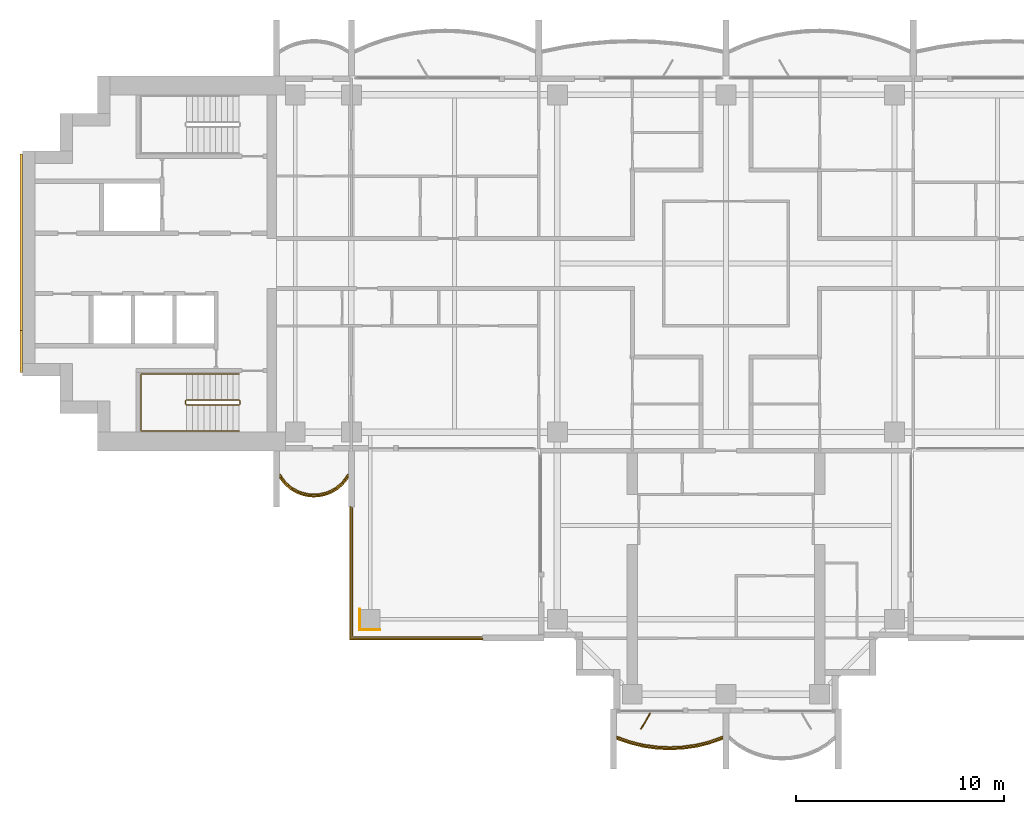
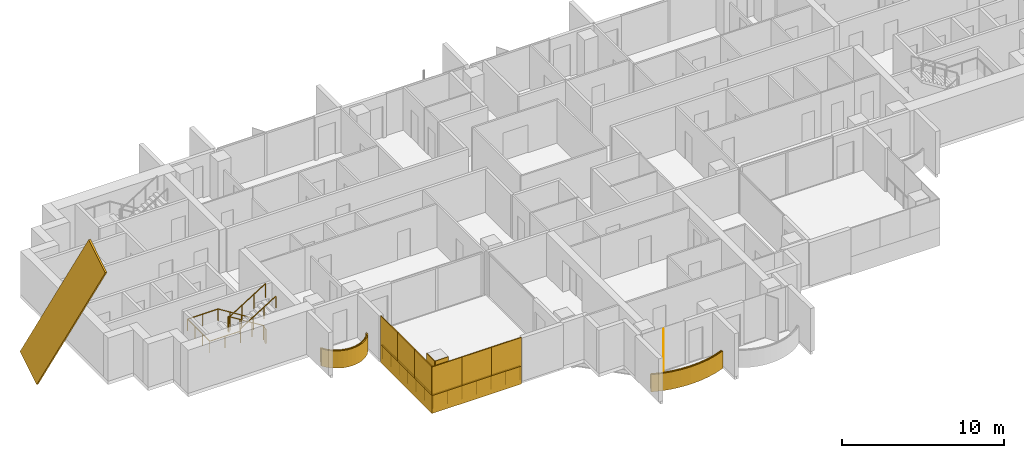
# One storey, part 14 of 17: 12 coverings, 5 railings, 1 shading device.
"""IFC4 building model written with IfcOpenShell, lengths in metres."""

from ifc_helpers import new_model, si_unit, direction, frame, origin, origin_2d, place, context, subcontext, project, spatial, polyline, rectangle, outline, extrude, material, layer, layer_set, material_profile, profile_set, type_object, element, save


model = new_model("IFC4")

# Units and contexts
model_context = context("Model", 3, precision=1e-05, world=origin(), true_north=direction((0.0, 1.0)))
body_context = subcontext(model_context, "Body", "Model", "MODEL_VIEW")
ifc_project = project(units=[si_unit("LENGTHUNIT", "METRE"), si_unit("AREAUNIT", "SQUARE_METRE"), si_unit("VOLUMEUNIT", "CUBIC_METRE"), si_unit("PLANEANGLEUNIT", "RADIAN"), si_unit("MASSUNIT", "GRAM", prefix="KILO")], contexts=[model_context])

# Site, building, storey
site_placement = place(None, origin())
site = spatial("IfcSite", under=ifc_project, at=site_placement, CompositionType="ELEMENT")
building_placement = place(site_placement, origin())
building = spatial("IfcBuilding", under=site, at=building_placement, Name="Perihelion Cross Residences", CompositionType="ELEMENT")
storey_placement = place(building_placement, frame((0.0, 0.0, 180.60009765625)))
storey = spatial("IfcBuildingStorey", under=building, at=storey_placement, Name="L44", CompositionType="ELEMENT", Elevation=180.60009765625)

# Coverings
ifc_material_1 = material(Name="Bronze anodised aluminium", Category="aluminium")
ifc_layer_1 = layer(ifc_material_1, 0.070068359375)
ifc_layer_set_1 = layer_set([ifc_layer_1], Name="Balcony fascia 1300")
covering_type_1 = type_object("IfcCoveringType", Name="Balcony fascia 1300", PredefinedType="CLADDING", material=ifc_layer_set_1)
covering_1_placement = place(storey_placement, frame((0.0, 0.0, -0.2001953125)))
element("IfcCovering", 1, at=covering_1_placement, inside=storey, type_object=covering_type_1, Name="Fascia BF1 L44 west side south bay 1", PredefinedType="CLADDING", context=body_context, shape_type="SweptSolid", body=[
    extrude(outline(polyline([(-21.226318359375, -10.616455078125), (-20.94091796875, -10.86328125), (-20.655517578125, -11.031494140625), (-20.370361328125, -11.142578125), (-20.085205078125, -11.206298828125), (-19.800048828125, -11.22705078125), (-19.514892578125, -11.206298828125), (-19.229736328125, -11.142578125), (-18.9443359375, -11.031494140625), (-18.6591796875, -10.86328125), (-18.373779296875, -10.616455078125), (-18.14990234375, -10.31689453125), (-18.14990234375, -10.199951171875), (-18.425048828125, -10.568603515625), (-18.699951171875, -10.806396484375), (-18.97509765625, -10.96875), (-19.25, -11.07568359375), (-19.52490234375, -11.136962890625), (-19.800048828125, -11.156982421875), (-20.074951171875, -11.136962890625), (-20.35009765625, -11.07568359375), (-20.625, -10.96875), (-20.89990234375, -10.806396484375), (-21.175048828125, -10.568603515625), (-21.449951171875, -10.199951171875), (-21.449951171875, -10.31689453125), (-21.226318359375, -10.616455078125)])), origin(), (0.0, 0.0, 1.0), 1.300048828125),
])
covering_2_placement = place(storey_placement, frame((0.0, 0.0, -0.2001953125)))
element("IfcCovering", 2, at=covering_2_placement, inside=storey, type_object=covering_type_1, Name="Fascia BF1 L44 south tip south bay 1", PredefinedType="CLADDING", context=body_context, shape_type="SweptSolid", body=[
    extrude(outline(polyline([(-4.63232421875, -23.090576171875), (-3.98828125, -23.247314453125), (-3.34423828125, -23.339599609375), (-2.699951171875, -23.3701171875), (-2.055908203125, -23.339599609375), (-1.411865234375, -23.247314453125), (-0.767578125, -23.090576171875), (-0.14990234375, -22.874267578125), (-0.14990234375, -22.800048828125), (-0.78759765625, -23.0234375), (-1.425048828125, -23.178466796875), (-2.0625, -23.269775390625), (-2.699951171875, -23.300048828125), (-3.33740234375, -23.269775390625), (-3.97509765625, -23.178466796875), (-4.612548828125, -23.0234375), (-5.25, -22.800048828125), (-5.25, -22.874267578125), (-4.63232421875, -23.090576171875)])), origin(), (0.0, 0.0, 1.0), 1.300048828125),
])

# Railings
ifc_material_2 = material(Name="Bronze anodised aluminium", Category="aluminium")
railing_type_1 = type_object("IfcRailingType", Name="Balcony guard 1100", PredefinedType="GUARDRAIL", material=ifc_material_2)
railing_1_placement = place(storey_placement, frame((-21.425048828125, -10.139892578125, 0.0)))
element("IfcRailing", 3, at=railing_1_placement, inside=storey, type_object=railing_type_1, Name="Guard GU1 L44 west side south bay 1 balcony", PredefinedType="GUARDRAIL", context=body_context, shape_type="SweptSolid", body=[
    extrude(rectangle(XDim=0.048095703125, YDim=0.048095703125, at=origin_2d()), frame((0.0, 0.0, 1.076171875), z_axis=(0.561260132269, -0.827639452857, 0.0), x_axis=(0.827639452857, 0.561260132269, 0.0)), (0.0, 0.0, 1.0), 0.4453125),
    extrude(rectangle(XDim=0.048095703125, YDim=0.048095703125, at=origin_2d()), frame((0.25, -0.36865234375, 1.076171875), z_axis=(0.756596535164, -0.653882009982, 0.0), x_axis=(0.653882009982, 0.756596535164, 0.0)), (0.0, 0.0, 1.0), 0.36376953125),
    extrude(rectangle(XDim=0.048095703125, YDim=0.048095703125, at=origin_2d()), frame((0.525146484375, -0.6064453125, 1.076171875), z_axis=(0.861048292884, -0.508523192511, 0.0), x_axis=(0.508523192511, 0.861048292884, 0.0)), (0.0, 0.0, 1.0), 0.3193359375),
    extrude(rectangle(XDim=0.048095703125, YDim=0.048095703125, at=origin_2d()), frame((0.800048828125, -0.768798828125, 1.076171875), z_axis=(0.931973602183, -0.362526143656, 0.0), x_axis=(0.362526143656, 0.931973602183, 0.0)), (0.0, 0.0, 1.0), 0.294921875),
    extrude(rectangle(XDim=0.048095703125, YDim=0.048095703125, at=origin_2d()), frame((1.074951171875, -0.875732421875, 1.076171875), z_axis=(0.976085059389, -0.21738895289, 0.0), x_axis=(0.21738895289, 0.976085059389, 0.0)), (0.0, 0.0, 1.0), 0.281982421875),
    extrude(rectangle(XDim=0.048095703125, YDim=0.048095703125, at=origin_2d()), frame((1.35009765625, -0.93701171875, 1.076171875), z_axis=(0.997358821833, -0.072631814734, 0.0), x_axis=(0.072631814734, 0.997358821833, 0.0)), (0.0, 0.0, 1.0), 0.275634765625),
    extrude(rectangle(XDim=0.048095703125, YDim=0.048095703125, at=origin_2d()), frame((1.625, -0.95703125, 1.076171875), z_axis=(0.997363488337, 0.072567707226, 0.0), x_axis=(-0.072567707226, 0.997363488337, 0.0)), (0.0, 0.0, 1.0), 0.27587890625),
    extrude(rectangle(XDim=0.048095703125, YDim=0.048095703125, at=origin_2d()), frame((1.900146484375, -0.93701171875, 1.076171875), z_axis=(0.976044077717, 0.217572880557, 0.0), x_axis=(-0.217572880557, 0.976044077717, 0.0)), (0.0, 0.0, 1.0), 0.28173828125),
    extrude(rectangle(XDim=0.048095703125, YDim=0.048095703125, at=origin_2d()), frame((2.175048828125, -0.875732421875, 1.076171875), z_axis=(0.931973602183, 0.362526143656, 0.0), x_axis=(-0.362526143656, 0.931973602183, 0.0)), (0.0, 0.0, 1.0), 0.294921875),
    extrude(rectangle(XDim=0.048095703125, YDim=0.048095703125, at=origin_2d()), frame((2.449951171875, -0.768798828125, 1.076171875), z_axis=(0.861245845072, 0.508188542123, 0.0), x_axis=(-0.508188542123, 0.861245845072, 0.0)), (0.0, 0.0, 1.0), 0.319580078125),
    extrude(rectangle(XDim=0.048095703125, YDim=0.048095703125, at=origin_2d()), frame((2.72509765625, -0.6064453125, 1.076171875), z_axis=(0.756309278473, 0.654214242658, 0.0), x_axis=(-0.654214242658, 0.756309278473, 0.0)), (0.0, 0.0, 1.0), 0.363525390625),
    extrude(rectangle(XDim=0.048095703125, YDim=0.048095703125, at=origin_2d()), frame((3.0, -0.36865234375, 1.076171875), z_axis=(0.561260132269, 0.827639452857, 0.0), x_axis=(-0.827639452857, 0.561260132269, 0.0)), (0.0, 0.0, 1.0), 0.4453125),
    extrude(rectangle(XDim=0.0419921875, YDim=0.0419921875, at=origin_2d()), origin(), (0.0, 0.0, 1.0), 1.052001953125),
    extrude(rectangle(XDim=0.0419921875, YDim=0.0419921875, at=origin_2d()), frame((0.25, -0.36865234375, 0.0)), (0.0, 0.0, 1.0), 1.052001953125),
    extrude(rectangle(XDim=0.0419921875, YDim=0.0419921875, at=origin_2d()), frame((0.525146484375, -0.6064453125, 0.0)), (0.0, 0.0, 1.0), 1.052001953125),
    extrude(rectangle(XDim=0.0419921875, YDim=0.0419921875, at=origin_2d()), frame((0.800048828125, -0.768798828125, 0.0)), (0.0, 0.0, 1.0), 1.052001953125),
    extrude(rectangle(XDim=0.0419921875, YDim=0.0419921875, at=origin_2d()), frame((1.074951171875, -0.875732421875, 0.0)), (0.0, 0.0, 1.0), 1.052001953125),
    extrude(rectangle(XDim=0.0419921875, YDim=0.0419921875, at=origin_2d()), frame((1.35009765625, -0.93701171875, 0.0)), (0.0, 0.0, 1.0), 1.052001953125),
    extrude(rectangle(XDim=0.0419921875, YDim=0.0419921875, at=origin_2d()), frame((1.625, -0.95703125, 0.0)), (0.0, 0.0, 1.0), 1.052001953125),
    extrude(rectangle(XDim=0.0419921875, YDim=0.0419921875, at=origin_2d()), frame((1.900146484375, -0.93701171875, 0.0)), (0.0, 0.0, 1.0), 1.052001953125),
    extrude(rectangle(XDim=0.0419921875, YDim=0.0419921875, at=origin_2d()), frame((2.175048828125, -0.875732421875, 0.0)), (0.0, 0.0, 1.0), 1.052001953125),
    extrude(rectangle(XDim=0.0419921875, YDim=0.0419921875, at=origin_2d()), frame((2.449951171875, -0.768798828125, 0.0)), (0.0, 0.0, 1.0), 1.052001953125),
    extrude(rectangle(XDim=0.0419921875, YDim=0.0419921875, at=origin_2d()), frame((2.72509765625, -0.6064453125, 0.0)), (0.0, 0.0, 1.0), 1.052001953125),
    extrude(rectangle(XDim=0.0419921875, YDim=0.0419921875, at=origin_2d()), frame((3.0, -0.36865234375, 0.0)), (0.0, 0.0, 1.0), 1.052001953125),
    extrude(rectangle(XDim=0.0419921875, YDim=0.0419921875, at=origin_2d()), frame((3.25, 0.0, 0.0)), (0.0, 0.0, 1.0), 1.052001953125),
])
railing_2_placement = place(storey_placement, frame((-5.22509765625, -22.739990234375, 0.0)))
element("IfcRailing", 4, at=railing_2_placement, inside=storey, type_object=railing_type_1, Name="Guard GU1 L44 south tip south bay 1 balcony", PredefinedType="GUARDRAIL", context=body_context, shape_type="SweptSolid", body=[
    extrude(rectangle(XDim=0.048095703125, YDim=0.048095703125, at=origin_2d()), frame((0.0, 0.0, 1.076171875), z_axis=(0.939355405384, -0.342945217749, 0.0), x_axis=(0.342945217749, 0.939355405384, 0.0)), (0.0, 0.0, 1.0), 0.652099609375),
    extrude(rectangle(XDim=0.048095703125, YDim=0.048095703125, at=origin_2d()), frame((0.612548828125, -0.2236328125, 1.076171875), z_axis=(0.971676841941, -0.236313594268, 0.0), x_axis=(0.236313594268, 0.971676841941, 0.0)), (0.0, 0.0, 1.0), 0.656005859375),
    extrude(rectangle(XDim=0.048095703125, YDim=0.048095703125, at=origin_2d()), frame((1.25, -0.378662109375, 1.076171875), z_axis=(0.989903964498, -0.141739694763, 0.0), x_axis=(0.141739694763, 0.989903964498, 0.0)), (0.0, 0.0, 1.0), 0.644287109375),
    extrude(rectangle(XDim=0.048095703125, YDim=0.048095703125, at=origin_2d()), frame((1.8876953125, -0.469970703125, 1.076171875), z_axis=(0.998892243319, -0.04705620296, 0.0), x_axis=(0.04705620296, 0.998892243319, 0.0)), (0.0, 0.0, 1.0), 0.63818359375),
    extrude(rectangle(XDim=0.048095703125, YDim=0.048095703125, at=origin_2d()), frame((2.525146484375, -0.5, 1.076171875), z_axis=(0.998892243319, 0.04705620296, 0.0), x_axis=(-0.04705620296, 0.998892243319, 0.0)), (0.0, 0.0, 1.0), 0.63818359375),
    extrude(rectangle(XDim=0.048095703125, YDim=0.048095703125, at=origin_2d()), frame((3.16259765625, -0.469970703125, 1.076171875), z_axis=(0.989896346386, 0.141792889142, 0.0), x_axis=(-0.141792889142, 0.989896346386, 0.0)), (0.0, 0.0, 1.0), 0.64404296875),
    extrude(rectangle(XDim=0.048095703125, YDim=0.048095703125, at=origin_2d()), frame((3.800048828125, -0.378662109375, 1.076171875), z_axis=(0.971676841941, 0.236313594268, 0.0), x_axis=(-0.236313594268, 0.971676841941, 0.0)), (0.0, 0.0, 1.0), 0.656005859375),
    extrude(rectangle(XDim=0.048095703125, YDim=0.048095703125, at=origin_2d()), frame((4.4375, -0.2236328125, 1.076171875), z_axis=(0.939355405384, 0.342945217749, 0.0), x_axis=(-0.342945217749, 0.939355405384, 0.0)), (0.0, 0.0, 1.0), 0.652099609375),
    extrude(rectangle(XDim=0.0419921875, YDim=0.0419921875, at=origin_2d()), origin(), (0.0, 0.0, 1.0), 1.052001953125),
    extrude(rectangle(XDim=0.0419921875, YDim=0.0419921875, at=origin_2d()), frame((0.612548828125, -0.2236328125, 0.0)), (0.0, 0.0, 1.0), 1.052001953125),
    extrude(rectangle(XDim=0.0419921875, YDim=0.0419921875, at=origin_2d()), frame((1.25, -0.378662109375, 0.0)), (0.0, 0.0, 1.0), 1.052001953125),
    extrude(rectangle(XDim=0.0419921875, YDim=0.0419921875, at=origin_2d()), frame((1.8876953125, -0.469970703125, 0.0)), (0.0, 0.0, 1.0), 1.052001953125),
    extrude(rectangle(XDim=0.0419921875, YDim=0.0419921875, at=origin_2d()), frame((2.525146484375, -0.5, 0.0)), (0.0, 0.0, 1.0), 1.052001953125),
    extrude(rectangle(XDim=0.0419921875, YDim=0.0419921875, at=origin_2d()), frame((3.16259765625, -0.469970703125, 0.0)), (0.0, 0.0, 1.0), 1.052001953125),
    extrude(rectangle(XDim=0.0419921875, YDim=0.0419921875, at=origin_2d()), frame((3.800048828125, -0.378662109375, 0.0)), (0.0, 0.0, 1.0), 1.052001953125),
    extrude(rectangle(XDim=0.0419921875, YDim=0.0419921875, at=origin_2d()), frame((4.4375, -0.2236328125, 0.0)), (0.0, 0.0, 1.0), 1.052001953125),
    extrude(rectangle(XDim=0.0419921875, YDim=0.0419921875, at=origin_2d()), frame((5.050048828125, 0.0, 0.0)), (0.0, 0.0, 1.0), 1.052001953125),
])
railing_3_placement = place(storey_placement, frame((-11.739990234375, -17.93994140625, 0.0)))
element("IfcRailing", 5, at=railing_3_placement, inside=storey, type_object=railing_type_1, Name="Guard GU1 L44 pocket south-west 1", PredefinedType="GUARDRAIL", context=body_context, shape_type="SweptSolid", body=[
    extrude(rectangle(XDim=0.048095703125, YDim=0.048095703125, at=origin_2d()), frame((0.0, 0.0, 1.076171875), z_axis=(-1.0, 0.0, 0.0), x_axis=(0.0, -1.0, 0.0)), (0.0, 0.0, 1.0), 6.199951171875),
    extrude(rectangle(XDim=0.048095703125, YDim=0.048095703125, at=origin_2d()), frame((-6.199951171875, 0.0, 1.076171875), z_axis=(0.0, 1.0, 0.0), x_axis=(-1.0, 0.0, 0.0)), (0.0, 0.0, 1.0), 6.199951171875),
    extrude(rectangle(XDim=0.0419921875, YDim=0.0419921875, at=origin_2d()), origin(), (0.0, 0.0, 1.0), 1.052001953125),
    extrude(rectangle(XDim=0.0419921875, YDim=0.0419921875, at=origin_2d()), frame((-1.033203125, 0.0, 0.0)), (0.0, 0.0, 1.0), 1.052001953125),
    extrude(rectangle(XDim=0.0419921875, YDim=0.0419921875, at=origin_2d()), frame((-2.066650390625, 0.0, 0.0)), (0.0, 0.0, 1.0), 1.052001953125),
    extrude(rectangle(XDim=0.0419921875, YDim=0.0419921875, at=origin_2d()), frame((-3.10009765625, 0.0, 0.0)), (0.0, 0.0, 1.0), 1.052001953125),
    extrude(rectangle(XDim=0.0419921875, YDim=0.0419921875, at=origin_2d()), frame((-4.13330078125, 0.0, 0.0)), (0.0, 0.0, 1.0), 1.052001953125),
    extrude(rectangle(XDim=0.0419921875, YDim=0.0419921875, at=origin_2d()), frame((-5.16650390625, 0.0, 0.0)), (0.0, 0.0, 1.0), 1.052001953125),
    extrude(rectangle(XDim=0.0419921875, YDim=0.0419921875, at=origin_2d()), frame((-6.199951171875, 0.0, 0.0)), (0.0, 0.0, 1.0), 1.052001953125),
    extrude(rectangle(XDim=0.0419921875, YDim=0.0419921875, at=origin_2d()), frame((-6.199951171875, 1.033203125, 0.0)), (0.0, 0.0, 1.0), 1.052001953125),
    extrude(rectangle(XDim=0.0419921875, YDim=0.0419921875, at=origin_2d()), frame((-6.199951171875, 2.066650390625, 0.0)), (0.0, 0.0, 1.0), 1.052001953125),
    extrude(rectangle(XDim=0.0419921875, YDim=0.0419921875, at=origin_2d()), frame((-6.199951171875, 3.10009765625, 0.0)), (0.0, 0.0, 1.0), 1.052001953125),
    extrude(rectangle(XDim=0.0419921875, YDim=0.0419921875, at=origin_2d()), frame((-6.199951171875, 4.13330078125, 0.0)), (0.0, 0.0, 1.0), 1.052001953125),
    extrude(rectangle(XDim=0.0419921875, YDim=0.0419921875, at=origin_2d()), frame((-6.199951171875, 5.16650390625, 0.0)), (0.0, 0.0, 1.0), 1.052001953125),
    extrude(rectangle(XDim=0.0419921875, YDim=0.0419921875, at=origin_2d()), frame((-6.199951171875, 6.199951171875, 0.0)), (0.0, 0.0, 1.0), 1.052001953125),
])

# Coverings
ifc_material_3 = material(Name="Bronze anodised aluminium", Category="aluminium")
ifc_material_profile = material_profile(ifc_material_3, rectangle(XDim=0.125, YDim=2.39990234375, at=origin_2d()), Name="Bronze cladding band 2400")
ifc_profile_set = profile_set([ifc_material_profile], Name="Bronze anodised aluminium")
covering_type_2 = type_object("IfcCoveringType", Name="Bronze cladding band 2400", PredefinedType="CLADDING", material=ifc_profile_set)
covering_3_placement = place(storey_placement, frame((-33.862548828125, 4.232421875, -4.80126953125), z_axis=(0.0, -0.529924750763, 0.848044667767), x_axis=(1.0, 0.0, 0.0)))
element("IfcCovering", 6, at=covering_3_placement, inside=storey, type_object=covering_type_2, Name="Core cladding band, west core", PredefinedType="CLADDING", context=body_context, shape_type="SweptSolid", body=[
    extrude(rectangle(XDim=0.125, YDim=2.39990234375, at=origin_2d()), origin(), (0.0, 0.0, 1.0), 15.9736328125),
])
ifc_material_4 = material(Name="Bronze anodised aluminium", Category="aluminium")
ifc_layer_2 = layer(ifc_material_4, 0.0400390625)
ifc_layer_set_2 = layer_set([ifc_layer_2], Name="Bronze column casing 40")
covering_type_3 = type_object("IfcCoveringType", Name="Bronze column casing 40", PredefinedType="CLADDING", material=ifc_layer_set_2)
covering_4_placement = place(storey_placement, frame((-17.594970703125, -17.10009765625, -0.25), z_axis=(0.0, 0.0, 1.0), x_axis=(1.0, 0.0, 0.0)))
element("IfcCovering", 7, at=covering_4_placement, inside=storey, type_object=covering_type_3, Name="Cladding CC1 L44 casing east-west no. 1", PredefinedType="CLADDING", context=body_context, shape_type="SweptSolid", body=[
    extrude(rectangle(XDim=0.0400390625, YDim=1.030029296875, at=origin_2d()), origin(), (0.0, 0.0, 1.0), 3.5),
])
covering_5_placement = place(storey_placement, frame((-17.10009765625, -17.594970703125, -0.25), z_axis=(0.0, 0.0, 1.0), x_axis=(1.0, 0.0, 0.0)))
element("IfcCovering", 8, at=covering_5_placement, inside=storey, type_object=covering_type_3, Name="Cladding CC1 L44 casing north-south no. 1", PredefinedType="CLADDING", context=body_context, shape_type="SweptSolid", body=[
    extrude(rectangle(XDim=0.949951171875, YDim=0.0400390625, at=origin_2d()), origin(), (0.0, 0.0, 1.0), 3.5),
])

# Shading device
ifc_material_5 = material(Name="Bronze anodised aluminium", Category="aluminium")
ifc_layer_3 = layer(ifc_material_5, 0.050048828125)
ifc_layer_set_3 = layer_set([ifc_layer_3], Name="Bronze fin 900")
shading_device_type = type_object("IfcShadingDeviceType", Name="Bronze fin 900", PredefinedType="USERDEFINED", material=ifc_layer_set_3)
shading_device_placement = place(storey_placement, frame((-3.862548828125, -21.98974609375, 0.0), z_axis=(0.0, 0.0, 1.0), x_axis=(-0.5, -0.866025403784, 0.0)))
element("IfcShadingDevice", 9, at=shading_device_placement, inside=storey, type_object=shading_device_type, Name="Fin FN1 L44 south tip south bay 1", ObjectType="FIN", PredefinedType="USERDEFINED", context=body_context, shape_type="SweptSolid", body=[
    extrude(rectangle(XDim=0.89990234375, YDim=0.050048828125, at=origin_2d()), origin(), (0.0, 0.0, 1.0), 3.25),
])

# Coverings
ifc_material_6 = material(Name="Bronze anodised aluminium", Category="aluminium")
ifc_layer_4 = layer(ifc_material_6, 0.070068359375)
ifc_layer_set_4 = layer_set([ifc_layer_4], Name="Pocket fascia 1350")
covering_type_4 = type_object("IfcCoveringType", Name="Pocket fascia 1350", PredefinedType="CLADDING", material=ifc_layer_set_4)
covering_6_placement = place(storey_placement, frame((0.0, 0.0, -0.25)))
element("IfcCovering", 10, at=covering_6_placement, inside=storey, type_object=covering_type_4, Name="Fascia BF2 L44 pocket south-west 1", PredefinedType="CLADDING", context=body_context, shape_type="SweptSolid", body=[
    extrude(outline(polyline([(-18.070068359375, -11.699951171875), (-18.070068359375, -18.070068359375), (-11.699951171875, -18.070068359375), (-11.699951171875, -18.0), (-18.0, -18.0), (-18.0, -11.699951171875), (-18.070068359375, -11.699951171875)])), origin(), (0.0, 0.0, 1.0), 1.349853515625),
])
ifc_material_7 = material(Name="Bronze perforated aluminium", Category="aluminium")
ifc_layer_5 = layer(ifc_material_7, 0.070068359375)
ifc_layer_set_5 = layer_set([ifc_layer_5], Name="Pocket solar screen, bronze perforated")
covering_type_5 = type_object("IfcCoveringType", Name="Pocket solar screen, bronze perforated", PredefinedType="CLADDING", material=ifc_layer_set_5)
covering_7_placement = place(storey_placement, frame((0.0, 0.0, 1.099853515625)))
element("IfcCovering", 11, at=covering_7_placement, inside=storey, type_object=covering_type_5, Name="Solar screen PS1 L44 pocket south-west no. 1", PredefinedType="CLADDING", context=body_context, shape_type="SweptSolid", body=[
    extrude(outline(polyline([(-18.0, -18.0), (-18.0, -15.89990234375), (-18.070068359375, -15.89990234375), (-18.070068359375, -18.0), (-18.0, -18.0)])), origin(), (0.0, 0.0, 1.0), 2.150146484375),
])
covering_8_placement = place(storey_placement, frame((0.0, 0.0, 1.099853515625)))
element("IfcCovering", 12, at=covering_8_placement, inside=storey, type_object=covering_type_5, Name="Solar screen PS1 L44 pocket south-west no. 2", PredefinedType="CLADDING", context=body_context, shape_type="SweptSolid", body=[
    extrude(outline(polyline([(-18.0, -15.89990234375), (-18.0, -13.800048828125), (-18.070068359375, -13.800048828125), (-18.070068359375, -15.89990234375), (-18.0, -15.89990234375)])), origin(), (0.0, 0.0, 1.0), 2.150146484375),
])
covering_9_placement = place(storey_placement, frame((0.0, 0.0, 1.099853515625)))
element("IfcCovering", 13, at=covering_9_placement, inside=storey, type_object=covering_type_5, Name="Solar screen PS1 L44 pocket south-west no. 3", PredefinedType="CLADDING", context=body_context, shape_type="SweptSolid", body=[
    extrude(outline(polyline([(-18.0, -13.800048828125), (-18.0, -11.699951171875), (-18.070068359375, -11.699951171875), (-18.070068359375, -13.800048828125), (-18.0, -13.800048828125)])), origin(), (0.0, 0.0, 1.0), 2.150146484375),
])
covering_10_placement = place(storey_placement, frame((0.0, 0.0, 1.099853515625)))
element("IfcCovering", 14, at=covering_10_placement, inside=storey, type_object=covering_type_5, Name="Solar screen PS1 L44 pocket south-west no. 4", PredefinedType="CLADDING", context=body_context, shape_type="SweptSolid", body=[
    extrude(outline(polyline([(-15.94677734375, -18.070068359375), (-15.94677734375, -18.0), (-18.070068359375, -18.0), (-18.070068359375, -18.070068359375), (-15.94677734375, -18.070068359375)])), origin(), (0.0, 0.0, 1.0), 2.150146484375),
])
covering_11_placement = place(storey_placement, frame((0.0, 0.0, 1.099853515625)))
element("IfcCovering", 15, at=covering_11_placement, inside=storey, type_object=covering_type_5, Name="Solar screen PS1 L44 pocket south-west no. 5", PredefinedType="CLADDING", context=body_context, shape_type="SweptSolid", body=[
    extrude(outline(polyline([(-13.8232421875, -18.070068359375), (-13.8232421875, -18.0), (-15.94677734375, -18.0), (-15.94677734375, -18.070068359375), (-13.8232421875, -18.070068359375)])), origin(), (0.0, 0.0, 1.0), 2.150146484375),
])
covering_12_placement = place(storey_placement, frame((0.0, 0.0, 1.099853515625)))
element("IfcCovering", 16, at=covering_12_placement, inside=storey, type_object=covering_type_5, Name="Solar screen PS1 L44 pocket south-west no. 6", PredefinedType="CLADDING", context=body_context, shape_type="SweptSolid", body=[
    extrude(outline(polyline([(-11.699951171875, -18.070068359375), (-11.699951171875, -18.0), (-13.8232421875, -18.0), (-13.8232421875, -18.070068359375), (-11.699951171875, -18.070068359375)])), origin(), (0.0, 0.0, 1.0), 2.150146484375),
])

# Railings
ifc_material_8 = material(Name="Stainless steel", Category="steel")
railing_type_2 = type_object("IfcRailingType", Name="Stair guard 1100", PredefinedType="GUARDRAIL", material=ifc_material_8)
railing_4_placement = place(storey_placement, frame((-23.35009765625, -6.75, 0.0)))
element("IfcRailing", 17, at=railing_4_placement, inside=storey, type_object=railing_type_2, Name="L44 ST-W2 stair guard 1", PredefinedType="GUARDRAIL", context=body_context, shape_type="SweptSolid", body=[
    extrude(rectangle(XDim=0.048095703125, YDim=0.048095703125, at=origin_2d()), frame((0.0, 0.0, 1.076171875), z_axis=(0.0, 1.0, 0.0), x_axis=(-1.0, 0.0, 0.0)), (0.0, 0.0, 1.0), 0.14990234375),
    extrude(rectangle(XDim=0.048095703125, YDim=0.048095703125, at=origin_2d()), frame((0.0, 0.14990234375, 1.076171875), z_axis=(-0.264179342666, 0.265474339444, 0.927217692888), x_axis=(-0.708833529934, -0.705375805398, 0.0)), (0.0, 0.0, 1.0), 0.1884765625),
    extrude(rectangle(XDim=0.048095703125, YDim=0.048095703125, at=origin_2d()), frame((-0.0498046875, 0.199951171875, 1.2509765625), z_axis=(-0.847970611238, 0.0, 0.530043245855), x_axis=(0.0, -1.0, 0.0)), (0.0, 0.0, 1.0), 2.971923828125),
    extrude(rectangle(XDim=0.048095703125, YDim=0.048095703125, at=origin_2d()), frame((-2.56982421875, 0.199951171875, 2.826171875), z_axis=(-0.707106781187, -0.707106781187, 0.0), x_axis=(0.707106781187, -0.707106781187, 0.0)), (0.0, 0.0, 1.0), 0.07080078125),
    extrude(rectangle(XDim=0.048095703125, YDim=0.048095703125, at=origin_2d()), frame((-2.619873046875, 0.14990234375, 2.826171875), z_axis=(0.0, -1.0, 0.0), x_axis=(1.0, 0.0, 0.0)), (0.0, 0.0, 1.0), 0.14990234375),
    extrude(rectangle(XDim=0.048095703125, YDim=0.048095703125, at=origin_2d()), frame((-2.619873046875, 0.0, 2.826171875), z_axis=(0.265383341853, -0.265383341853, 0.926899867156), x_axis=(0.707106781187, 0.707106781187, 0.0)), (0.0, 0.0, 1.0), 0.1884765625),
    extrude(rectangle(XDim=0.048095703125, YDim=0.048095703125, at=origin_2d()), frame((-2.56982421875, -0.050048828125, 3.0009765625), z_axis=(0.847970611238, 0.0, 0.530043245855), x_axis=(0.0, 1.0, 0.0)), (0.0, 0.0, 1.0), 2.971923828125),
    extrude(rectangle(XDim=0.0419921875, YDim=0.0419921875, at=origin_2d()), origin(), (0.0, 0.0, 1.0), 1.052001953125),
    extrude(rectangle(XDim=0.0419921875, YDim=0.0419921875, at=origin_2d()), frame((0.0, 0.14990234375, 0.0)), (0.0, 0.0, 1.0), 1.052001953125),
    extrude(rectangle(XDim=0.0419921875, YDim=0.0419921875, at=origin_2d()), frame((-0.0498046875, 0.199951171875, 0.1748046875)), (0.0, 0.0, 1.0), 1.052001953125),
    extrude(rectangle(XDim=0.0419921875, YDim=0.0419921875, at=origin_2d()), frame((-0.889892578125, 0.199951171875, 0.699951171875)), (0.0, 0.0, 1.0), 1.052001953125),
    extrude(rectangle(XDim=0.0419921875, YDim=0.0419921875, at=origin_2d()), frame((-1.729736328125, 0.199951171875, 1.224853515625)), (0.0, 0.0, 1.0), 1.052001953125),
    extrude(rectangle(XDim=0.0419921875, YDim=0.0419921875, at=origin_2d()), frame((-2.56982421875, 0.199951171875, 1.75)), (0.0, 0.0, 1.0), 1.052001953125),
    extrude(rectangle(XDim=0.0419921875, YDim=0.0419921875, at=origin_2d()), frame((-2.619873046875, 0.14990234375, 1.75)), (0.0, 0.0, 1.0), 1.052001953125),
    extrude(rectangle(XDim=0.0419921875, YDim=0.0419921875, at=origin_2d()), frame((-2.619873046875, 0.0, 1.75)), (0.0, 0.0, 1.0), 1.052001953125),
    extrude(rectangle(XDim=0.0419921875, YDim=0.0419921875, at=origin_2d()), frame((-2.56982421875, -0.050048828125, 1.9248046875)), (0.0, 0.0, 1.0), 1.052001953125),
    extrude(rectangle(XDim=0.0419921875, YDim=0.0419921875, at=origin_2d()), frame((-1.729736328125, -0.050048828125, 2.449951171875)), (0.0, 0.0, 1.0), 1.052001953125),
    extrude(rectangle(XDim=0.0419921875, YDim=0.0419921875, at=origin_2d()), frame((-0.889892578125, -0.050048828125, 2.974853515625)), (0.0, 0.0, 1.0), 1.052001953125),
    extrude(rectangle(XDim=0.0419921875, YDim=0.0419921875, at=origin_2d()), frame((-0.0498046875, -0.050048828125, 3.5)), (0.0, 0.0, 1.0), 1.052001953125),
])
ifc_material_9 = material(Name="Stainless steel", Category="steel")
railing_type_3 = type_object("IfcRailingType", Name="Stair handrail 900", PredefinedType="HANDRAIL", material=ifc_material_9)
railing_5_placement = place(storey_placement, frame((-23.39990234375, -5.300048828125, 0.1748046875)))
element("IfcRailing", 18, at=railing_5_placement, inside=storey, type_object=railing_type_3, Name="L44 ST-W2 stair handrail 1", PredefinedType="HANDRAIL", context=body_context, shape_type="SweptSolid", body=[
    extrude(rectangle(XDim=0.048095703125, YDim=0.048095703125, at=origin_2d()), frame((0.0, 0.0, 0.8759765625), z_axis=(-0.847970611238, 0.0, 0.530043245855), x_axis=(0.0, -1.0, 0.0)), (0.0, 0.0, 1.0), 2.971923828125),
    extrude(rectangle(XDim=0.048095703125, YDim=0.048095703125, at=origin_2d()), frame((-2.52001953125, 0.0, 2.451171875), z_axis=(-1.0, 0.0, 0.0), x_axis=(0.0, -1.0, 0.0)), (0.0, 0.0, 1.0), 2.18017578125),
    extrude(rectangle(XDim=0.048095703125, YDim=0.048095703125, at=origin_2d()), frame((-4.7001953125, 0.0, 2.451171875), z_axis=(0.0, -1.0, 0.0), x_axis=(1.0, 0.0, 0.0)), (0.0, 0.0, 1.0), 2.75),
    extrude(rectangle(XDim=0.048095703125, YDim=0.048095703125, at=origin_2d()), frame((-4.7001953125, -2.75, 2.451171875), z_axis=(1.0, 0.0, 0.0), x_axis=(0.0, 1.0, 0.0)), (0.0, 0.0, 1.0), 2.18017578125),
    extrude(rectangle(XDim=0.048095703125, YDim=0.048095703125, at=origin_2d()), frame((-2.52001953125, -2.75, 2.451171875), z_axis=(0.0, 0.0, 1.0), x_axis=(1.0, 0.0, 0.0)), (0.0, 0.0, 1.0), 0.1748046875),
    extrude(rectangle(XDim=0.048095703125, YDim=0.048095703125, at=origin_2d()), frame((-2.52001953125, -2.75, 2.6259765625), z_axis=(0.847970611238, 0.0, 0.530043245855), x_axis=(0.0, 1.0, 0.0)), (0.0, 0.0, 1.0), 2.971923828125),
    extrude(rectangle(XDim=0.0419921875, YDim=0.0419921875, at=origin_2d()), origin(), (0.0, 0.0, 1.0), 0.851806640625),
    extrude(rectangle(XDim=0.0419921875, YDim=0.0419921875, at=origin_2d()), frame((-0.840087890625, 0.0, 0.525146484375)), (0.0, 0.0, 1.0), 0.851806640625),
    extrude(rectangle(XDim=0.0419921875, YDim=0.0419921875, at=origin_2d()), frame((-1.679931640625, 0.0, 1.050048828125)), (0.0, 0.0, 1.0), 0.851806640625),
    extrude(rectangle(XDim=0.0419921875, YDim=0.0419921875, at=origin_2d()), frame((-2.52001953125, 0.0, 1.5751953125)), (0.0, 0.0, 1.0), 0.851806640625),
    extrude(rectangle(XDim=0.0419921875, YDim=0.0419921875, at=origin_2d()), frame((-3.610107421875, 0.0, 1.5751953125)), (0.0, 0.0, 1.0), 0.851806640625),
    extrude(rectangle(XDim=0.0419921875, YDim=0.0419921875, at=origin_2d()), frame((-4.7001953125, 0.0, 1.5751953125)), (0.0, 0.0, 1.0), 0.851806640625),
    extrude(rectangle(XDim=0.0419921875, YDim=0.0419921875, at=origin_2d()), frame((-4.7001953125, -0.916748046875, 1.5751953125)), (0.0, 0.0, 1.0), 0.851806640625),
    extrude(rectangle(XDim=0.0419921875, YDim=0.0419921875, at=origin_2d()), frame((-4.7001953125, -1.833251953125, 1.5751953125)), (0.0, 0.0, 1.0), 0.851806640625),
    extrude(rectangle(XDim=0.0419921875, YDim=0.0419921875, at=origin_2d()), frame((-4.7001953125, -2.75, 1.5751953125)), (0.0, 0.0, 1.0), 0.851806640625),
    extrude(rectangle(XDim=0.0419921875, YDim=0.0419921875, at=origin_2d()), frame((-3.610107421875, -2.75, 1.5751953125)), (0.0, 0.0, 1.0), 0.851806640625),
    extrude(rectangle(XDim=0.0419921875, YDim=0.0419921875, at=origin_2d()), frame((-2.52001953125, -2.75, 1.5751953125)), (0.0, 0.0, 1.0), 0.851806640625),
    extrude(rectangle(XDim=0.0419921875, YDim=0.0419921875, at=origin_2d()), frame((-2.52001953125, -2.75, 1.75)), (0.0, 0.0, 1.0), 0.851806640625),
    extrude(rectangle(XDim=0.0419921875, YDim=0.0419921875, at=origin_2d()), frame((-1.679931640625, -2.75, 2.275146484375)), (0.0, 0.0, 1.0), 0.851806640625),
    extrude(rectangle(XDim=0.0419921875, YDim=0.0419921875, at=origin_2d()), frame((-0.840087890625, -2.75, 2.800048828125)), (0.0, 0.0, 1.0), 0.851806640625),
    extrude(rectangle(XDim=0.0419921875, YDim=0.0419921875, at=origin_2d()), frame((0.0, -2.75, 3.3251953125)), (0.0, 0.0, 1.0), 0.851806640625),
])

save(model, "model.ifc")
